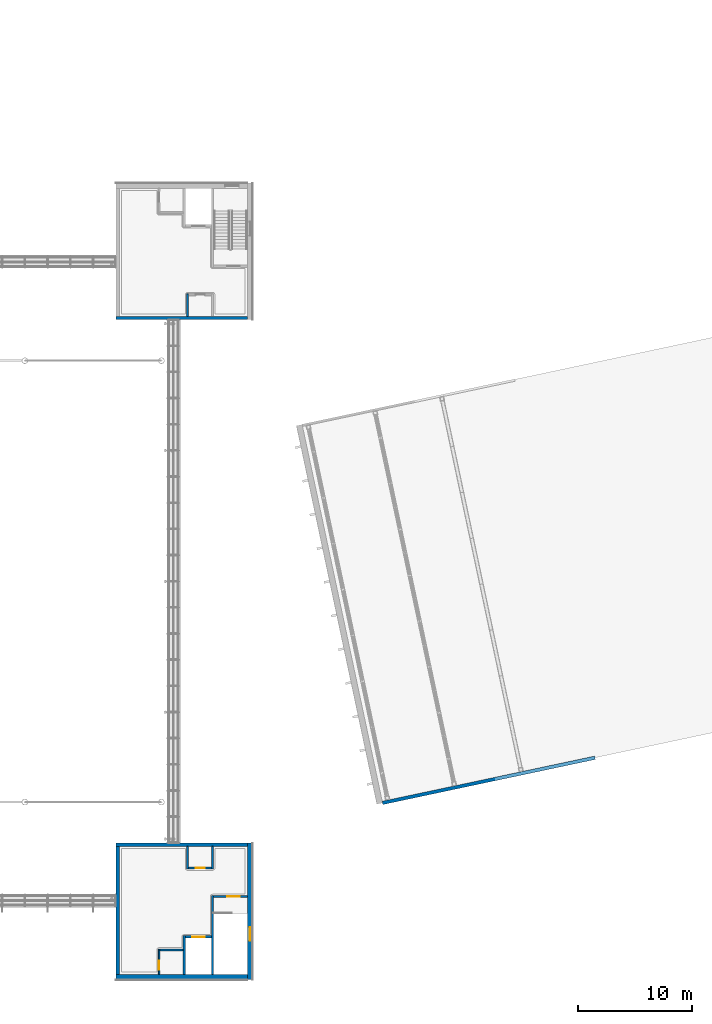
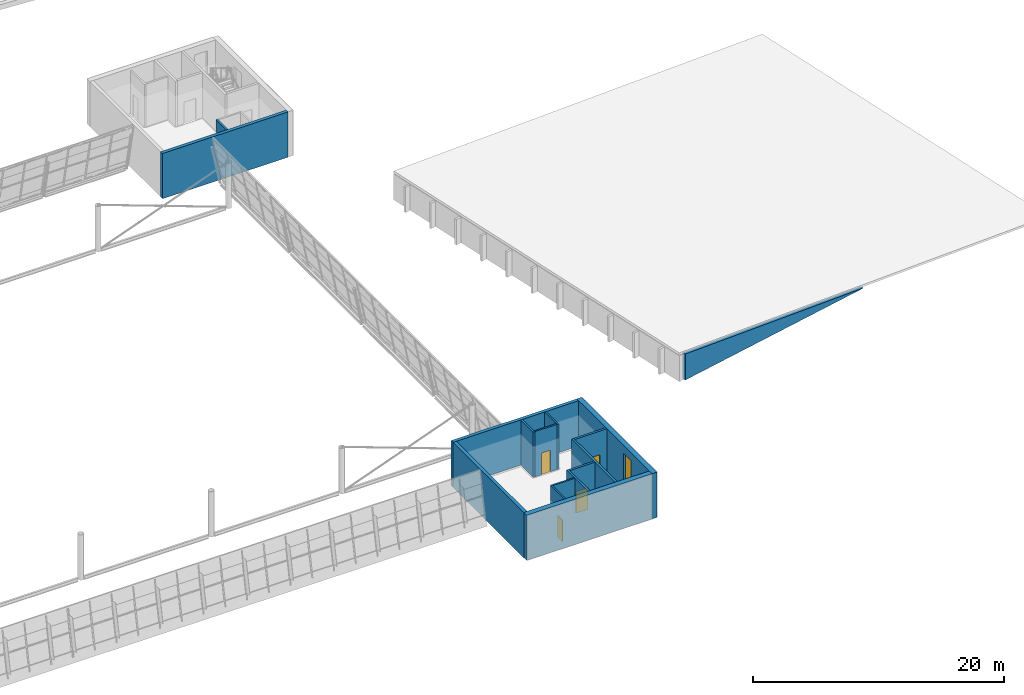
# One storey, part 31 of 50: 16 walls, 4 doors, 1 window, 5 openings.
"""IFC4 building model written with IfcOpenShell, lengths in metres."""

from ifc_helpers import new_model, si_unit, direction, frame, frame_2d, origin, place, context, subcontext, project, spatial, polyline, rectangle, outline, extrude, material, layer, layer_set, type_object, element, fill, save


model = new_model("IFC4")

# Units and contexts
model_context = context("Model", 3, precision=1e-05, world=origin(), true_north=direction((0.0, 1.0)))
body_context = subcontext(model_context, "Body", "Model", "MODEL_VIEW")
ifc_project = project(units=[si_unit("LENGTHUNIT", "METRE"), si_unit("AREAUNIT", "SQUARE_METRE"), si_unit("VOLUMEUNIT", "CUBIC_METRE"), si_unit("PLANEANGLEUNIT", "RADIAN"), si_unit("MASSUNIT", "GRAM", prefix="KILO")], contexts=[model_context])

# Site, building, storey
site_placement = place(None, origin())
site = spatial("IfcSite", under=ifc_project, at=site_placement, CompositionType="ELEMENT")
building_placement = place(site_placement, origin())
building = spatial("IfcBuilding", under=site, at=building_placement, Name="Windward Yard Aquatics Centre", CompositionType="ELEMENT")
storey_placement = place(building_placement, frame((0.0, 0.0, 18.199951171875)))
storey = spatial("IfcBuildingStorey", under=building, at=storey_placement, Name="L04", CompositionType="ELEMENT", Elevation=18.199951171875)

# Walls
ifc_material_1 = material(Name="Concrete C35/45", Category="concrete")
ifc_layer_1 = layer(ifc_material_1, 0.300048828125)
ifc_layer_set_1 = layer_set([ifc_layer_1], Name="D diving hall external wall 300")
wall_type_1 = type_object("IfcWallType", Name="D diving hall external wall 300", PredefinedType="SOLIDWALL", material=ifc_layer_set_1)
wall_1_placement = place(storey_placement, frame((163.438720703125, 41.525146484375, 0.0), z_axis=(0.0, 0.0, 1.0), x_axis=(0.978148711503, 0.207906464992, 0.0)))
element("IfcWall", 1, at=wall_1_placement, inside=storey, type_object=wall_type_1, Name="D.W.S.L04", PredefinedType="SOLIDWALL", context=body_context, shape_type="SweptSolid", body=[
    extrude(outline(polyline([(0.0, 0.0), (19.094970703125, 0.0), (19.094970703125, 0.02001953125), (0.0, 2.532470703125), (0.0, 0.0)])), frame((0.0, 0.14990234375, 0.0), z_axis=(0.0, -1.0, 0.0), x_axis=(1.0, 0.0, 0.0)), (0.0, 0.0, 1.0), 0.300048828125),
])
ifc_layer_2 = layer(ifc_material_1, 0.199951171875)
ifc_layer_set_2 = layer_set([ifc_layer_2], Name="H Enclosure Wall Concrete C35/45 200")
wall_type_2 = type_object("IfcWallType", Name="H Enclosure Wall Concrete C35/45 200", PredefinedType="SOLIDWALL", material=ifc_layer_set_2)
wall_2_placement = place(storey_placement, frame((148.5, 26.449951171875, 0.0), z_axis=(0.0, 0.0, 1.0), x_axis=(0.0, 1.0, 0.0)))
element("IfcWall", 2, at=wall_2_placement, inside=storey, type_object=wall_type_2, Name="L04 W1 enclosure wall SE", PredefinedType="SOLIDWALL", context=body_context, shape_type="SweptSolid", body=[
    extrude(rectangle(XDim=6.949951171875, YDim=0.199951171875, at=frame_2d((3.47509765625, 0.0))), origin(), (0.0, 0.0, 1.0), 4.400146484375),
])

# Wall, opening, door
wall_3_placement = place(storey_placement, frame((151.550048828125, 33.300048828125, 0.0), z_axis=(0.0, 0.0, 1.0), x_axis=(-1.0, 0.0, 0.0)))
wall_3 = element("IfcWall", 3, at=wall_3_placement, inside=storey, type_object=wall_type_2, Name="L04 W2 enclosure wall SE", PredefinedType="SOLIDWALL", context=body_context, shape_type="SweptSolid", body=[
    extrude(rectangle(XDim=2.949951171875, YDim=0.199951171875, at=frame_2d((1.47509765625, 0.0))), origin(), (0.0, 0.0, 1.0), 4.400146484375),
])
opening_1_placement = place(wall_3_placement, frame((0.64990234375, 0.0, 0.0)))
opening_1 = element("IfcOpeningElement", 4, at=opening_1_placement, cuts=wall_3, Name="Opening H4005", PredefinedType="OPENING", context=body_context, shape_type="SweptSolid", body=[
    extrude(rectangle(XDim=1.10009765625, YDim=2.10009765625, at=frame_2d((0.550048828125, 1.050048828125))), frame((0.0, 0.10986328125, 0.0), z_axis=(0.0, -1.0, 0.0), x_axis=(1.0, 0.0, 0.0)), (0.0, 0.0, 1.0), 0.219970703125),
])
ifc_material_2 = material(Name="Steel and timber door leaf", Category="steel")
door_type_1 = type_object("IfcDoorType", Name="H Door Single 1100 x 2100 FD60", OperationType="NOTDEFINED", PredefinedType="DOOR", material=ifc_material_2)
door_1_placement = place(opening_1_placement, origin())
door_1 = element("IfcDoor", 5, at=door_1_placement, inside=storey, type_object=door_type_1, Name="L04 stair SE door", OperationType="SINGLE_SWING_RIGHT", OverallHeight=2.10009765625, OverallWidth=1.10009765625, PredefinedType="DOOR", context=body_context, shape_type="SweptSolid", body=[
    extrude(rectangle(XDim=1.10009765625, YDim=2.10009765625, at=frame_2d((0.550048828125, 1.050048828125))), frame((0.0, 0.02490234375, 0.0), z_axis=(0.0, -1.0, 0.0), x_axis=(1.0, 0.0, 0.0)), (0.0, 0.0, 1.0), 0.050048828125),
])
fill(opening_1, door_1)

# Wall
wall_4_placement = place(storey_placement, frame((146.0, 26.449951171875, 0.0), z_axis=(0.0, 0.0, 1.0), x_axis=(0.0, 1.0, 0.0)))
element("IfcWall", 6, at=wall_4_placement, inside=storey, type_object=wall_type_2, Name="L04 W3 enclosure wall SE", PredefinedType="SOLIDWALL", context=body_context, shape_type="SweptSolid", body=[
    extrude(rectangle(XDim=3.400146484375, YDim=0.199951171875, at=frame_2d((1.7001953125, 0.0))), origin(), (0.0, 0.0, 1.0), 4.400146484375),
])

# Wall, opening, door
wall_5_placement = place(storey_placement, frame((148.39990234375, 29.75, 0.0), z_axis=(0.0, 0.0, 1.0), x_axis=(-1.0, 0.0, 0.0)))
wall_5 = element("IfcWall", 7, at=wall_5_placement, inside=storey, type_object=wall_type_2, Name="L04 W4 enclosure wall SE", PredefinedType="SOLIDWALL", context=body_context, shape_type="SweptSolid", body=[
    extrude(rectangle(XDim=2.2998046875, YDim=0.199951171875, at=frame_2d((1.14990234375, 0.0))), origin(), (0.0, 0.0, 1.0), 4.400146484375),
])
opening_2_placement = place(wall_5_placement, frame((0.60009765625, 0.0, 0.0)))
opening_2 = element("IfcOpeningElement", 8, at=opening_2_placement, cuts=wall_5, Name="Opening H4006", PredefinedType="OPENING", context=body_context, shape_type="SweptSolid", body=[
    extrude(rectangle(XDim=1.10009765625, YDim=2.10009765625, at=frame_2d((0.550048828125, 1.050048828125))), frame((0.0, 0.10986328125, 0.0), z_axis=(0.0, -1.0, 0.0), x_axis=(1.0, 0.0, 0.0)), (0.0, 0.0, 1.0), 0.219970703125),
])
ifc_material_3 = material(Name="Stainless steel 1.4301", Category="steel")
door_type_2 = type_object("IfcDoorType", Name="H Lift Landing Door 1100 x 2100", OperationType="DOUBLE_DOOR_SLIDING", PredefinedType="DOOR", material=ifc_material_3)
door_2_placement = place(opening_2_placement, origin())
door_2 = element("IfcDoor", 9, at=door_2_placement, inside=storey, type_object=door_type_2, Name="Lift SE landing door L04", OperationType="DOUBLE_DOOR_SLIDING", OverallHeight=2.10009765625, OverallWidth=1.10009765625, PredefinedType="DOOR", context=body_context, shape_type="SweptSolid", body=[
    extrude(rectangle(XDim=1.10009765625, YDim=2.10009765625, at=frame_2d((0.550048828125, 1.050048828125))), frame((0.0, 0.02490234375, 0.0), z_axis=(0.0, -1.0, 0.0), x_axis=(1.0, 0.0, 0.0)), (0.0, 0.0, 1.0), 0.050048828125),
])
fill(opening_2, door_2)

# Wall
ifc_material_4 = material(Name="Blockwork 150 mm", Category="masonry")
ifc_layer_3 = layer(ifc_material_4, 0.14990234375)
ifc_layer_set_3 = layer_set([ifc_layer_3], Name="H Partition Blockwork 150")
wall_type_3 = type_object("IfcWallType", Name="H Partition Blockwork 150", PredefinedType="PARTITIONING", material=ifc_layer_set_3)
wall_6_placement = place(storey_placement, frame((145.89990234375, 28.60009765625, 0.0), z_axis=(0.0, 0.0, 1.0), x_axis=(-1.0, 0.0, 0.0)))
element("IfcWall", 10, at=wall_6_placement, inside=storey, type_object=wall_type_3, Name="L04 R1N riser wall SE", PredefinedType="PARTITIONING", context=body_context, shape_type="SweptSolid", body=[
    extrude(rectangle(XDim=2.02490234375, YDim=0.14990234375, at=frame_2d((1.012451171875, 0.0))), origin(), (0.0, 0.0, 1.0), 4.400146484375),
])

# Wall, opening, door
wall_7_placement = place(storey_placement, frame((143.800048828125, 26.449951171875, 0.0), z_axis=(0.0, 0.0, 1.0), x_axis=(0.0, 1.0, 0.0)))
wall_7 = element("IfcWall", 11, at=wall_7_placement, inside=storey, type_object=wall_type_3, Name="L04 R1E riser wall SE", PredefinedType="PARTITIONING", context=body_context, shape_type="SweptSolid", body=[
    extrude(rectangle(XDim=2.22509765625, YDim=0.14990234375, at=frame_2d((1.112548828125, 0.0))), origin(), (0.0, 0.0, 1.0), 4.400146484375),
])
opening_3_placement = place(wall_7_placement, frame((0.39990234375, 0.0, 0.0)))
opening_3 = element("IfcOpeningElement", 12, at=opening_3_placement, cuts=wall_7, Name="Opening H4007", PredefinedType="OPENING", context=body_context, shape_type="SweptSolid", body=[
    extrude(rectangle(XDim=0.800048828125, YDim=2.10009765625, at=frame_2d((0.39990234375, 1.050048828125))), frame((0.0, 0.0849609375, 0.0), z_axis=(0.0, -1.0, 0.0), x_axis=(1.0, 0.0, 0.0)), (0.0, 0.0, 1.0), 0.169921875),
])
door_type_3 = type_object("IfcDoorType", Name="H Door Riser 800 x 2100 FD60", OperationType="NOTDEFINED", PredefinedType="DOOR", material=ifc_material_2)
door_3_placement = place(opening_3_placement, origin())
door_3 = element("IfcDoor", 13, at=door_3_placement, inside=storey, type_object=door_type_3, Name="L04 electrical riser SE door", OperationType="SINGLE_SWING_LEFT", OverallHeight=2.10009765625, OverallWidth=0.800048828125, PredefinedType="DOOR", context=body_context, shape_type="SweptSolid", body=[
    extrude(rectangle(XDim=0.800048828125, YDim=2.10009765625, at=frame_2d((0.39990234375, 1.050048828125))), frame((0.0, 0.02490234375, 0.0), z_axis=(0.0, -1.0, 0.0), x_axis=(1.0, 0.0, 0.0)), (0.0, 0.0, 1.0), 0.050048828125),
])
fill(opening_3, door_3)

wall_8_placement = place(storey_placement, frame((148.425048828125, 35.800048828125, 0.0), z_axis=(0.0, 0.0, 1.0), x_axis=(-1.0, 0.0, 0.0)))
wall_8 = element("IfcWall", 14, at=wall_8_placement, inside=storey, type_object=wall_type_3, Name="L04 R2S riser wall SE", PredefinedType="PARTITIONING", context=body_context, shape_type="SweptSolid", body=[
    extrude(rectangle(XDim=2.050048828125, YDim=0.14990234375, at=frame_2d((1.02490234375, 0.0))), origin(), (0.0, 0.0, 1.0), 4.400146484375),
])
opening_4_placement = place(wall_8_placement, frame((0.625, 0.0, 0.0)))
opening_4 = element("IfcOpeningElement", 15, at=opening_4_placement, cuts=wall_8, Name="Opening H4008", PredefinedType="OPENING", context=body_context, shape_type="SweptSolid", body=[
    extrude(rectangle(XDim=0.800048828125, YDim=2.10009765625, at=frame_2d((0.39990234375, 1.050048828125))), frame((0.0, 0.0849609375, 0.0), z_axis=(0.0, -1.0, 0.0), x_axis=(1.0, 0.0, 0.0)), (0.0, 0.0, 1.0), 0.169921875),
])
door_4_placement = place(opening_4_placement, origin())
door_4 = element("IfcDoor", 16, at=door_4_placement, inside=storey, type_object=door_type_3, Name="L04 communications riser SE door", OperationType="SINGLE_SWING_RIGHT", OverallHeight=2.10009765625, OverallWidth=0.800048828125, PredefinedType="DOOR", context=body_context, shape_type="SweptSolid", body=[
    extrude(rectangle(XDim=0.800048828125, YDim=2.10009765625, at=frame_2d((0.39990234375, 1.050048828125))), frame((0.0, 0.02490234375, 0.0), z_axis=(0.0, -1.0, 0.0), x_axis=(1.0, 0.0, 0.0)), (0.0, 0.0, 1.0), 0.050048828125),
])
fill(opening_4, door_4)

# Walls
for number, where, z_axis, x_axis, name in (
    (17, (148.5, 35.72509765625, 0.0), (0.0, 0.0, 1.0), (0.0, 1.0, 0.0), "L04 R2W riser wall SE"),
    (18, (146.300048828125, 35.72509765625, 0.0), (0.0, 0.0, 1.0), (0.0, 1.0, 0.0), "L04 R2E riser wall SE"),
):
    element("IfcWall", number, at=place(storey_placement, frame(where, z_axis=z_axis, x_axis=x_axis)), inside=storey, type_object=wall_type_3, Name=name, PredefinedType="PARTITIONING", context=body_context, shape_type="SweptSolid", body=[
        extrude(rectangle(XDim=1.974853515625, YDim=0.14990234375, at=frame_2d((0.9873046875, 0.0))), origin(), (0.0, 0.0, 1.0), 4.400146484375),
    ])
wall_9_placement = place(storey_placement, frame((146.300048828125, 86.27490234375, 0.0), z_axis=(0.0, 0.0, 1.0), x_axis=(0.0, -1.0, 0.0)))
element("IfcWall", 19, at=wall_9_placement, inside=storey, type_object=wall_type_3, Name="L04 R2E riser wall NE", PredefinedType="PARTITIONING", context=body_context, shape_type="SweptSolid", body=[
    extrude(rectangle(XDim=1.974853515625, YDim=0.14990234375, at=frame_2d((0.9873046875, 0.0))), origin(), (0.0, 0.0, 1.0), 4.150146484375),
])

# Wall, opening, window
ifc_material_5 = material(Name="Natural stone cladding", Category="masonry")
ifc_layer_4 = layer(ifc_material_5, 0.04, Name="Cladding")
ifc_material_6 = material(Name="Ventilated air cavity")
ifc_layer_5 = layer(ifc_material_6, 0.05, ventilated=True, Name="Ventilated cavity")
ifc_material_7 = material(Name="Mineral wool insulation")
ifc_layer_6 = layer(ifc_material_7, 0.08, Name="Insulation")
ifc_layer_7 = layer(ifc_material_1, 0.28, Name="Structure")
ifc_layer_set_4 = layer_set([ifc_layer_4, ifc_layer_5, ifc_layer_6, ifc_layer_7], Name="H plinth wall stone faced 450 C35/45")
wall_type_4 = type_object("IfcWallType", Name="H plinth wall stone faced 450 C35/45", PredefinedType="ELEMENTEDWALL", material=ifc_layer_set_4)
wall_10_placement = place(storey_placement, frame((151.77490234375, 26.0, 0.0), z_axis=(0.0, 0.0, 1.0), x_axis=(0.0, 1.0, 0.0)))
wall_10 = element("IfcWall", 20, at=wall_10_placement, inside=storey, type_object=wall_type_4, Name="H.CW.SE.E.L04", PredefinedType="ELEMENTEDWALL", context=body_context, shape_type="SweptSolid", body=[
    extrude(rectangle(XDim=12.0, YDim=0.449951171875, at=frame_2d((6.0, 0.0))), origin(), (0.0, 0.0, 1.0), 4.400146484375),
])
opening_5_placement = place(wall_10_placement, frame((3.39990234375, 0.0, 0.60009765625)))
opening_5 = element("IfcOpeningElement", 21, at=opening_5_placement, cuts=wall_10, Name="Opening W4006", PredefinedType="OPENING", context=body_context, shape_type="SweptSolid", body=[
    extrude(rectangle(XDim=1.199951171875, YDim=3.0, at=frame_2d((0.60009765625, 1.5))), frame((0.0, 0.23486328125, 0.0), z_axis=(0.0, -1.0, 0.0), x_axis=(1.0, 0.0, 0.0)), (0.0, 0.0, 1.0), 0.469970703125),
])
ifc_material_8 = material(Name="Fire-resisting glazing in steel frame", Category="steel")
window_type = type_object("IfcWindowType", Name="H Core Stair Window 1200 x 3000 EI 60", PartitioningType="SINGLE_PANEL", PredefinedType="WINDOW", material=ifc_material_8)
window_placement = place(opening_5_placement, origin())
window = element("IfcWindow", 22, at=window_placement, inside=storey, type_object=window_type, Name="L04 core SE stair window", OverallHeight=3.0, OverallWidth=1.199951171875, PartitioningType="SINGLE_PANEL", PredefinedType="WINDOW", context=body_context, shape_type="SweptSolid", body=[
    extrude(rectangle(XDim=1.199951171875, YDim=3.0, at=frame_2d((0.60009765625, 1.5))), frame((0.0, 0.030029296875, 0.0), z_axis=(0.0, -1.0, 0.0), x_axis=(1.0, 0.0, 0.0)), (0.0, 0.0, 1.0), 0.06005859375),
])
fill(opening_5, window)

# Walls
wall_11_placement = place(storey_placement, frame((151.550048828125, 26.22509765625, 0.0), z_axis=(0.0, 0.0, 1.0), x_axis=(-1.0, 0.0, 0.0)))
element("IfcWall", 23, at=wall_11_placement, inside=storey, type_object=wall_type_4, Name="H.CW.SE.S.L04", PredefinedType="ELEMENTEDWALL", context=body_context, shape_type="SweptSolid", body=[
    extrude(rectangle(XDim=11.550048828125, YDim=0.449951171875, at=frame_2d((5.77490234375, 0.0))), origin(), (0.0, 0.0, 1.0), 4.400146484375),
])
ifc_layer_8 = layer(ifc_material_1, 0.300048828125)
ifc_layer_set_5 = layer_set([ifc_layer_8], Name="H rear wall 300 C35/45")
wall_type_5 = type_object("IfcWallType", Name="H rear wall 300 C35/45", PredefinedType="SOLIDWALL", material=ifc_layer_set_5)
wall_12_placement = place(storey_placement, frame((140.14990234375, 26.449951171875, 0.0), z_axis=(0.0, 0.0, 1.0), x_axis=(0.0, 1.0, 0.0)))
element("IfcWall", 24, at=wall_12_placement, inside=storey, type_object=wall_type_5, Name="H.CW.SE.W.L04", PredefinedType="SOLIDWALL", context=body_context, shape_type="SweptSolid", body=[
    extrude(rectangle(XDim=11.25, YDim=0.300048828125, at=frame_2d((5.625, 0.0))), origin(), (0.0, 0.0, 1.0), 4.400146484375),
])
for number, where, z_axis, x_axis, name in (
    (25, (151.550048828125, 37.85009765625, 0.0), (0.0, 0.0, 1.0), (-1.0, 0.0, 0.0), "H.CW.SE.N.L04"),
    (26, (151.550048828125, 84.14990234375, 0.0), (0.0, 0.0, 1.0), (-1.0, 0.0, 0.0), "H.CW.NE.S.L04"),
):
    element("IfcWall", number, at=place(storey_placement, frame(where, z_axis=z_axis, x_axis=x_axis)), inside=storey, type_object=wall_type_5, Name=name, PredefinedType="SOLIDWALL", context=body_context, shape_type="SweptSolid", body=[
        extrude(rectangle(XDim=11.550048828125, YDim=0.300048828125, at=frame_2d((5.77490234375, 0.0))), origin(), (0.0, 0.0, 1.0), 4.400146484375),
    ])

save(model, "model.ifc")
